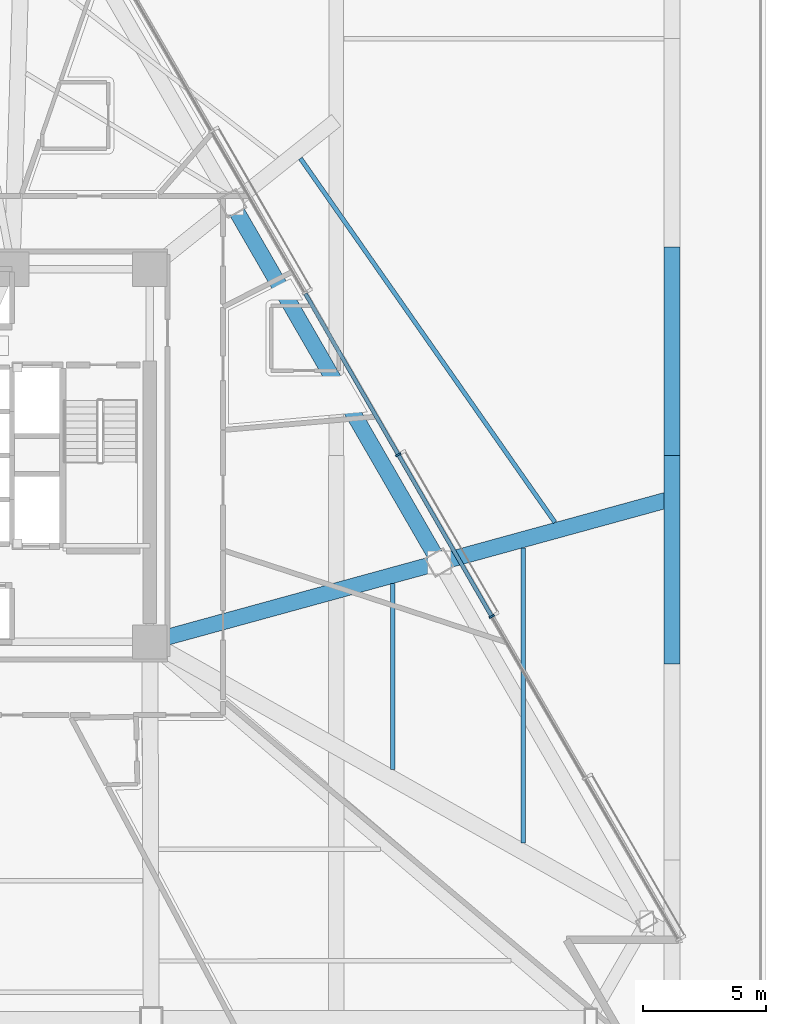
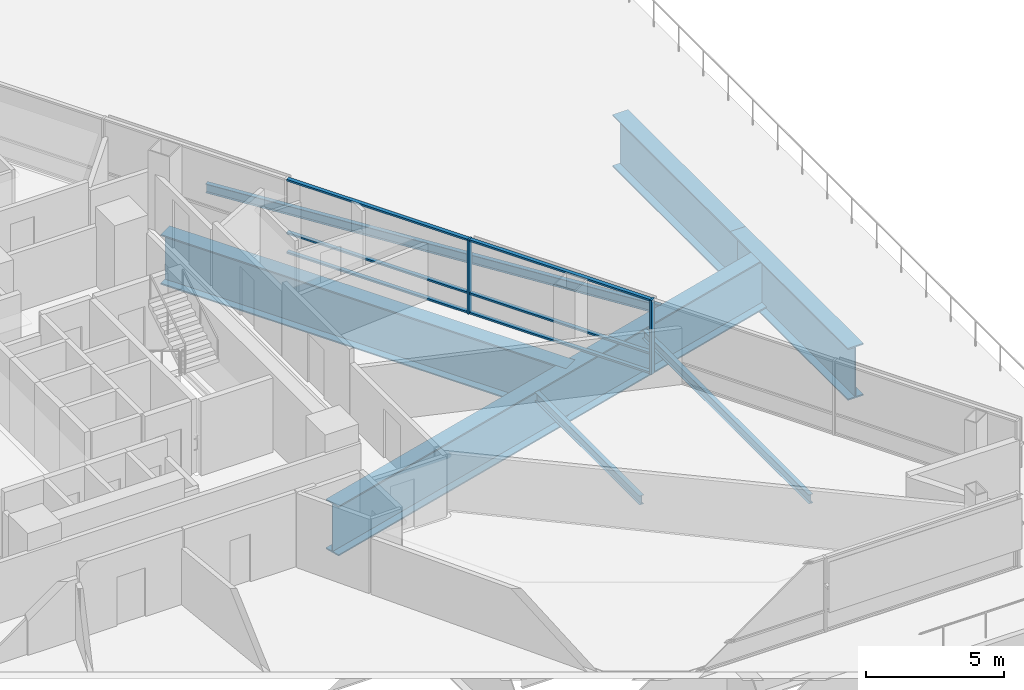
# One storey, part 5 of 19: 8 members, 7 beams, 1 element without a shape of its own.
"""IFC4 building model written with IfcOpenShell, lengths in metres."""

from ifc_helpers import new_model, si_unit, direction, frame, origin, origin_2d, place, context, subcontext, project, spatial, rectangle, i_section, extrude, material, layer, layer_set, material_profile, profile_set, type_object, element, aggregate, save


model = new_model("IFC4")

# Units and contexts
model_context = context("Model", 3, precision=1e-05, world=origin(), true_north=direction((0.0, 1.0)))
body_context = subcontext(model_context, "Body", "Model", "MODEL_VIEW")
ifc_project = project(units=[si_unit("LENGTHUNIT", "METRE"), si_unit("AREAUNIT", "SQUARE_METRE"), si_unit("VOLUMEUNIT", "CUBIC_METRE"), si_unit("PLANEANGLEUNIT", "RADIAN"), si_unit("MASSUNIT", "GRAM", prefix="KILO")], contexts=[model_context])

# Site, building, storey
site_placement = place(None, origin())
site = spatial("IfcSite", under=ifc_project, at=site_placement, CompositionType="ELEMENT")
building_placement = place(site_placement, origin())
building = spatial("IfcBuilding", under=site, at=building_placement, Name="Tharavind Bronze Gate", CompositionType="ELEMENT")
storey_placement = place(building_placement, frame((0.0, 0.0, 31.800048828125)))
storey = spatial("IfcBuildingStorey", under=building, at=storey_placement, Name="L06", CompositionType="ELEMENT", Elevation=31.800048828125)

# Curtain wall, members
ifc_material_1 = material(Name="Anodised Bronze Aluminium", Category="aluminium")
ifc_layer = layer(ifc_material_1, 0.219970703125)
ifc_layer_set = layer_set([ifc_layer], Name="Anodised Bronze Aluminium")
curtain_wall_type = type_object("IfcCurtainWallType", Name="UNITISED CURTAIN WALL HOTEL", PredefinedType="USERDEFINED", material=ifc_layer_set)
curtain_wall_placement = place(storey_placement, origin())
curtain_wall = element("IfcCurtainWall", 1, at=curtain_wall_placement, inside=storey, type_object=curtain_wall_type, Name="L06 unitised curtain wall hotel CW-L06-S3", ObjectType="UNITISED CURTAIN WALL", PredefinedType="USERDEFINED")
member_type_1 = type_object("IfcMemberType", Name="CURTAIN WALL MULLION 80X220", PredefinedType="MULLION", material=ifc_material_1)
member_1_placement = place(storey_placement, frame((22.83984375, -6.559814453125, 0.0), z_axis=(0.0, 0.0, 1.0), x_axis=(-0.500001511499, 0.866024531118, 0.0)))
member_1 = element("IfcMember", 2, at=member_1_placement, type_object=member_type_1, Name="CW-L06-S3 mullion 3", PredefinedType="MULLION", context=body_context, shape_type="SweptSolid", body=[
    extrude(rectangle(XDim=0.080078125, YDim=0.219970703125, at=origin_2d()), origin(), (0.0, 0.0, 1.0), 3.27490234375),
])
member_2_placement = place(storey_placement, frame((19.031982421875, 0.035888671875, 0.0), z_axis=(0.0, 0.0, 1.0), x_axis=(-0.500001511499, 0.866024531118, 0.0)))
member_2 = element("IfcMember", 3, at=member_2_placement, type_object=member_type_1, Name="CW-L06-S3 mullion 4", PredefinedType="MULLION", context=body_context, shape_type="SweptSolid", body=[
    extrude(rectangle(XDim=0.080078125, YDim=0.219970703125, at=origin_2d()), origin(), (0.0, 0.0, 1.0), 3.27490234375),
])
member_type_2 = type_object("IfcMemberType", Name="CURTAIN WALL TRANSOM 80X160", PredefinedType="USERDEFINED", material=ifc_material_1)
member_3_placement = place(storey_placement, frame((20.935791015625, -3.261962890625, 0.0), z_axis=(0.0, 0.0, 1.0), x_axis=(-0.500001511499, 0.866024531118, 0.0)))
member_3 = element("IfcMember", 4, at=member_3_placement, type_object=member_type_2, Name="CW-L06-S3 transom TB3", ObjectType="TRANSOM", PredefinedType="USERDEFINED", context=body_context, shape_type="SweptSolid", body=[
    extrude(rectangle(XDim=7.5478515625, YDim=0.159912109375, at=origin_2d()), origin(), (0.0, 0.0, 1.0), 0.080078125),
])
member_4_placement = place(storey_placement, frame((20.935791015625, -3.261962890625, 0.85986328125), z_axis=(0.0, 0.0, 1.0), x_axis=(-0.500001511499, 0.866024531118, 0.0)))
member_4 = element("IfcMember", 5, at=member_4_placement, type_object=member_type_2, Name="CW-L06-S3 transom TS3", ObjectType="TRANSOM", PredefinedType="USERDEFINED", context=body_context, shape_type="SweptSolid", body=[
    extrude(rectangle(XDim=7.5478515625, YDim=0.159912109375, at=origin_2d()), origin(), (0.0, 0.0, 1.0), 0.080078125),
])
member_5_placement = place(storey_placement, frame((20.935791015625, -3.261962890625, 3.19482421875), z_axis=(0.0, 0.0, 1.0), x_axis=(-0.500001511499, 0.866024531118, 0.0)))
member_5 = element("IfcMember", 6, at=member_5_placement, type_object=member_type_2, Name="CW-L06-S3 transom TT3", ObjectType="TRANSOM", PredefinedType="USERDEFINED", context=body_context, shape_type="SweptSolid", body=[
    extrude(rectangle(XDim=7.5478515625, YDim=0.159912109375, at=origin_2d()), origin(), (0.0, 0.0, 1.0), 0.080078125),
])
member_6_placement = place(storey_placement, frame((17.1279296875, 3.33349609375, 0.0), z_axis=(0.0, 0.0, 1.0), x_axis=(-0.500001511499, 0.866024531118, 0.0)))
member_6 = element("IfcMember", 7, at=member_6_placement, type_object=member_type_2, Name="CW-L06-S3 transom TB4", ObjectType="TRANSOM", PredefinedType="USERDEFINED", context=body_context, shape_type="SweptSolid", body=[
    extrude(rectangle(XDim=7.5478515625, YDim=0.159912109375, at=origin_2d()), origin(), (0.0, 0.0, 1.0), 0.080078125),
])
member_7_placement = place(storey_placement, frame((17.1279296875, 3.33349609375, 0.85986328125), z_axis=(0.0, 0.0, 1.0), x_axis=(-0.500001511499, 0.866024531118, 0.0)))
member_7 = element("IfcMember", 8, at=member_7_placement, type_object=member_type_2, Name="CW-L06-S3 transom TS4", ObjectType="TRANSOM", PredefinedType="USERDEFINED", context=body_context, shape_type="SweptSolid", body=[
    extrude(rectangle(XDim=7.5478515625, YDim=0.159912109375, at=origin_2d()), origin(), (0.0, 0.0, 1.0), 0.080078125),
])
member_8_placement = place(storey_placement, frame((17.1279296875, 3.33349609375, 3.19482421875), z_axis=(0.0, 0.0, 1.0), x_axis=(-0.500001511499, 0.866024531118, 0.0)))
member_8 = element("IfcMember", 9, at=member_8_placement, type_object=member_type_2, Name="CW-L06-S3 transom TT4", ObjectType="TRANSOM", PredefinedType="USERDEFINED", context=body_context, shape_type="SweptSolid", body=[
    extrude(rectangle(XDim=7.5478515625, YDim=0.159912109375, at=origin_2d()), origin(), (0.0, 0.0, 1.0), 0.080078125),
])
aggregate(curtain_wall, [member_1, member_2, member_3, member_4, member_5, member_6, member_7, member_8])

# Beams
ifc_material_2 = material(Name="Steel S355", Category="steel")
ifc_material_profile_1 = material_profile(ifc_material_2, i_section(OverallWidth=0.179931640625, OverallDepth=0.39990234375, WebThickness=0.008544921875, FlangeThickness=0.013427734375, at=origin_2d()), Name="IPE400")
ifc_profile_set_1 = profile_set([ifc_material_profile_1], Name="Steel S355")
beam_type_1 = type_object("IfcBeamType", Name="SECONDARY FLOOR JOIST IPE400", PredefinedType="JOIST", material=ifc_profile_set_1)
beam_1_placement = place(storey_placement, frame((18.804443359375, -12.797607421875, -0.39501953125), z_axis=(0.0, 1.0, 0.0), x_axis=(-1.0, 0.0, 0.0)))
element("IfcBeam", 10, at=beam_1_placement, inside=storey, type_object=beam_type_1, Name="L06 secondary floor joist ipe400 BM-L06-JSTA09", PredefinedType="JOIST", context=body_context, shape_type="SweptSolid", body=[
    extrude(i_section(OverallWidth=0.179931640625, OverallDepth=0.39990234375, WebThickness=0.008544921875, FlangeThickness=0.013427734375, at=origin_2d()), origin(), (0.0, 0.0, 1.0), 7.57421875),
])
beam_2_placement = place(storey_placement, frame((24.12939453125, -15.79443359375, -0.39501953125), z_axis=(0.0, 1.0, 0.0), x_axis=(-1.0, 0.0, 0.0)))
element("IfcBeam", 11, at=beam_2_placement, inside=storey, type_object=beam_type_1, Name="L06 secondary floor joist ipe400 BM-L06-JSTB09", PredefinedType="JOIST", context=body_context, shape_type="SweptSolid", body=[
    extrude(i_section(OverallWidth=0.179931640625, OverallDepth=0.39990234375, WebThickness=0.008544921875, FlangeThickness=0.013427734375, at=origin_2d()), origin(), (0.0, 0.0, 1.0), 12.031982421875),
])
beam_3_placement = place(storey_placement, frame((25.42041015625, -2.726318359375, -0.39501953125), z_axis=(-0.573070575414, 0.819506019254, 0.0), x_axis=(-0.819506019254, -0.573070575414, 0.0)))
element("IfcBeam", 12, at=beam_3_placement, inside=storey, type_object=beam_type_1, Name="L06 secondary floor joist ipe400 BM-L06-JSTB10", PredefinedType="JOIST", context=body_context, shape_type="SweptSolid", body=[
    extrude(i_section(OverallWidth=0.179931640625, OverallDepth=0.39990234375, WebThickness=0.008544921875, FlangeThickness=0.013427734375, at=origin_2d()), origin(), (0.0, 0.0, 1.0), 18.11279296875),
])
ifc_material_3 = material(Name="Steel S460", Category="steel")
ifc_material_profile_2 = material_profile(ifc_material_3, i_section(OverallWidth=0.64990234375, OverallDepth=2.199951171875, WebThickness=0.035888671875, FlangeThickness=0.054931640625, at=origin_2d()), Name="PG2200X650")
ifc_profile_set_2 = profile_set([ifc_material_profile_2], Name="Steel S460")
beam_type_2 = type_object("IfcBeamType", Name="TRANSFER GIRDER 2200X650", PredefinedType="USERDEFINED", material=ifc_profile_set_2)
beam_4_placement = place(storey_placement, frame((20.70458984375, -4.361083984375, -1.295166015625), z_axis=(-0.50000832373, 0.866020598023, 0.0), x_axis=(-0.866020598023, -0.50000832373, 0.0)))
element("IfcBeam", 13, at=beam_4_placement, inside=storey, type_object=beam_type_2, Name="L06 transfer girder 2200x650 BM-L06-URG10", ObjectType="TRANSFER GIRDER", PredefinedType="USERDEFINED", context=body_context, shape_type="SweptSolid", body=[
    extrude(i_section(OverallWidth=0.64990234375, OverallDepth=2.199951171875, WebThickness=0.035888671875, FlangeThickness=0.054931640625, at=origin_2d()), origin(), (0.0, 0.0, 1.0), 16.904541015625),
])
beam_5_placement = place(storey_placement, frame((8.89990234375, -7.60009765625, -1.295166015625), z_axis=(0.964358893863, 0.264597664064, 0.0), x_axis=(-0.264597664064, 0.964358893863, 0.0)))
element("IfcBeam", 14, at=beam_5_placement, inside=storey, type_object=beam_type_2, Name="L06 transfer girder 2200x650 BM-L06-XFR10", ObjectType="TRANSFER GIRDER", PredefinedType="USERDEFINED", context=body_context, shape_type="SweptSolid", body=[
    extrude(i_section(OverallWidth=0.64990234375, OverallDepth=2.199951171875, WebThickness=0.035888671875, FlangeThickness=0.054931640625, at=origin_2d()), origin(), (0.0, 0.0, 1.0), 22.087158203125),
])
ifc_material_profile_3 = material_profile(ifc_material_3, i_section(OverallWidth=0.64990234375, OverallDepth=2.300048828125, WebThickness=0.035888671875, FlangeThickness=0.05810546875, at=origin_2d()), Name="PG2300X650")
ifc_profile_set_3 = profile_set([ifc_material_profile_3], Name="Steel S460")
beam_type_3 = type_object("IfcBeamType", Name="TRANSFER GIRDER 2300X650", PredefinedType="USERDEFINED", material=ifc_profile_set_3)
for number, where, z_axis, x_axis, name in (
    (15, (30.199951171875, -8.5, -1.344970703125), (0.0, 1.0, 0.0), (-1.0, 0.0, 0.0), "L06 transfer girder 2300x650 BM-L06-PE3"),
    (16, (30.199951171875, 0.0, -1.344970703125), (0.0, 1.0, 0.0), (-1.0, 0.0, 0.0), "L06 transfer girder 2300x650 BM-L06-PE4"),
):
    element("IfcBeam", number, at=place(storey_placement, frame(where, z_axis=z_axis, x_axis=x_axis)), inside=storey, type_object=beam_type_3, Name=name, ObjectType="TRANSFER GIRDER", PredefinedType="USERDEFINED", context=body_context, shape_type="SweptSolid", body=[
        extrude(i_section(OverallWidth=0.64990234375, OverallDepth=2.300048828125, WebThickness=0.035888671875, FlangeThickness=0.05810546875, at=origin_2d()), origin(), (0.0, 0.0, 1.0), 8.5),
    ])

save(model, "model.ifc")
